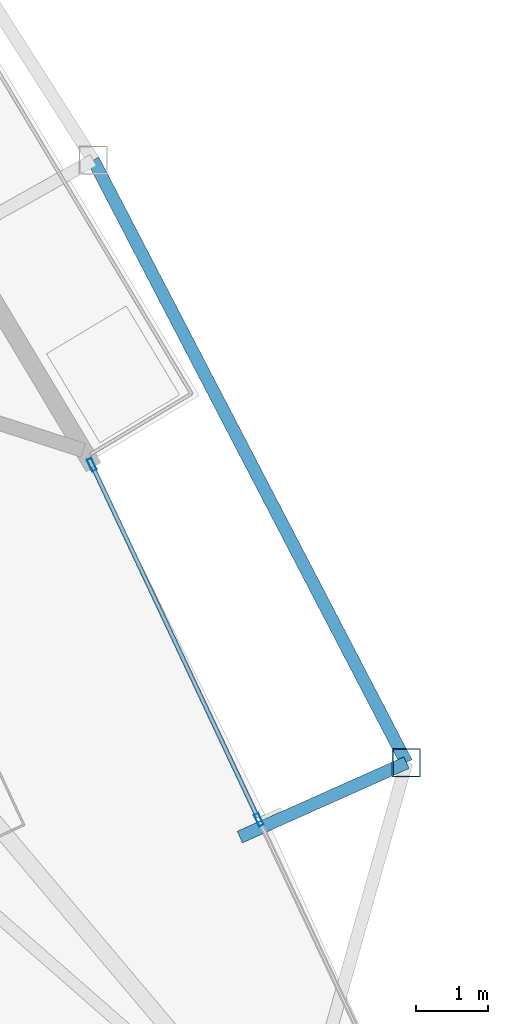
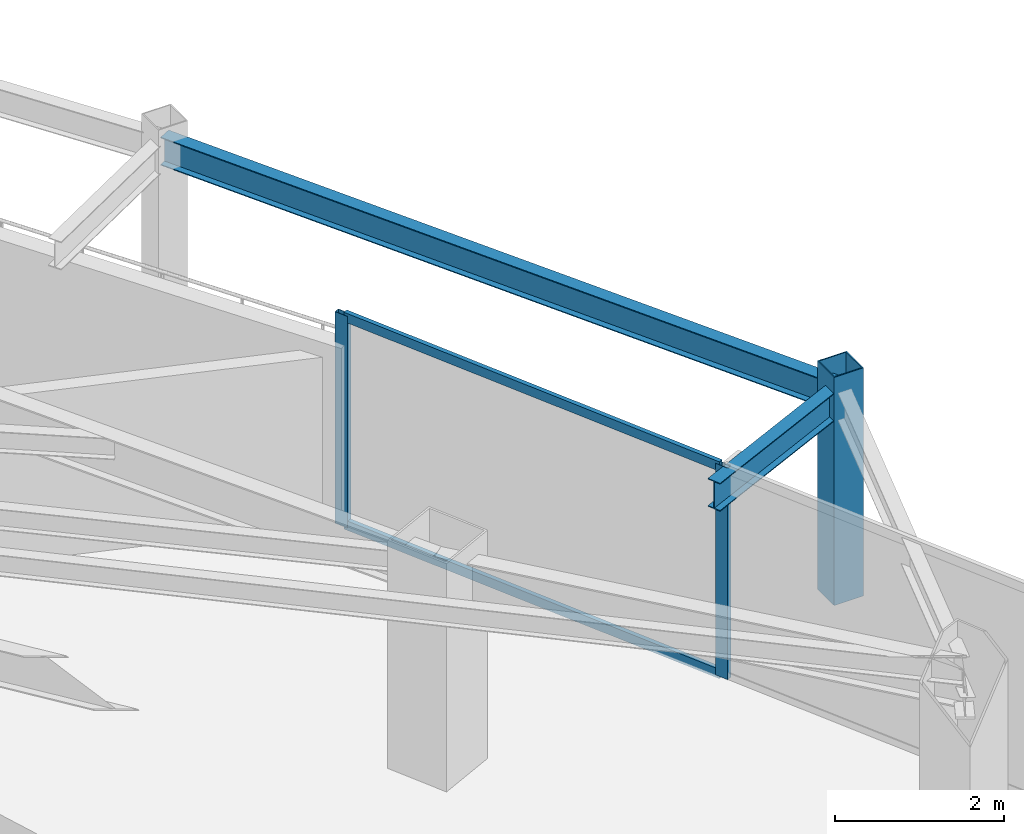
# One storey, part 18 of 31: 5 members, 2 beams, 1 element without a shape of its own.
"""IFC4 building model written with IfcOpenShell, lengths in metres."""

from ifc_helpers import new_model, si_unit, direction, frame, origin, origin_2d, place, context, subcontext, project, spatial, hollow_rectangle, i_section, extrude, material, layer, layer_set, material_profile, profile_set, type_object, element, aggregate, save


model = new_model("IFC4")

# Units and contexts
model_context = context("Model", 3, precision=1e-05, world=origin(), true_north=direction((0.0, 1.0)))
body_context = subcontext(model_context, "Body", "Model", "MODEL_VIEW")
ifc_project = project(units=[si_unit("LENGTHUNIT", "METRE"), si_unit("AREAUNIT", "SQUARE_METRE"), si_unit("VOLUMEUNIT", "CUBIC_METRE"), si_unit("PLANEANGLEUNIT", "RADIAN"), si_unit("MASSUNIT", "GRAM", prefix="KILO")], contexts=[model_context])

# Site, building, storey
site_placement = place(None, origin())
site = spatial("IfcSite", under=ifc_project, at=site_placement, CompositionType="ELEMENT")
building_placement = place(site_placement, origin())
building = spatial("IfcBuilding", under=site, at=building_placement, Name="Orvanel Arch Residences", CompositionType="ELEMENT")
storey_placement = place(building_placement, frame((0.0, 0.0, 153.949951171875)))
storey = spatial("IfcBuildingStorey", under=building, at=storey_placement, Name="L43", CompositionType="ELEMENT", Elevation=153.949951171875)

# Curtain wall, members
ifc_material_1 = material(Name="Bronze-anodised aluminium AA6063-T6", Category="aluminium")
ifc_layer = layer(ifc_material_1, 0.179931640625)
ifc_layer_set = layer_set([ifc_layer], Name="Bronze-anodised aluminium AA6063-T6")
curtain_wall_type = type_object("IfcCurtainWallType", Name="CW3-MID-SYS", PredefinedType="NOTDEFINED", material=ifc_layer_set)
curtain_wall_placement = place(storey_placement, origin())
curtain_wall = element("IfcCurtainWall", 1, at=curtain_wall_placement, inside=storey, type_object=curtain_wall_type, Name="L43 CW3-MID-SYS Unitised Curtain Wall", PredefinedType="NOTDEFINED")
ifc_material_profile_1 = material_profile(ifc_material_1, hollow_rectangle(XDim=0.070068359375, YDim=0.179931640625, WallThickness=0.00439453125, at=origin_2d()), Name="ALU180x70x4.5")
ifc_profile_set_1 = profile_set([ifc_material_profile_1], Name="Bronze-anodised aluminium AA6063-T6")
member_type_1 = type_object("IfcMemberType", Name="MUL-180x70", PredefinedType="MULLION", material=ifc_profile_set_1)
member_1_placement = place(storey_placement, frame((53.464111328125, 19.514404296875, 0.0), z_axis=(0.0, 0.0, 1.0), x_axis=(-0.90490897961, -0.425605144026, 0.0)))
member_1 = element("IfcMember", 2, at=member_1_placement, type_object=member_type_1, Name="CW-S3 mullion 2", PredefinedType="MULLION", context=body_context, shape_type="SweptSolid", body=[
    extrude(hollow_rectangle(XDim=0.070068359375, YDim=0.179931640625, WallThickness=0.00439453125, at=origin_2d()), origin(), (0.0, 0.0, 1.0), 3.06005859375),
])
member_2_placement = place(storey_placement, frame((51.12890625, 24.479248046875, 0.0), z_axis=(0.0, 0.0, 1.0), x_axis=(-0.90490897961, -0.425605144026, 0.0)))
member_2 = element("IfcMember", 3, at=member_2_placement, type_object=member_type_1, Name="CW-S3 mullion 3", PredefinedType="MULLION", context=body_context, shape_type="SweptSolid", body=[
    extrude(hollow_rectangle(XDim=0.070068359375, YDim=0.179931640625, WallThickness=0.00439453125, at=origin_2d()), origin(), (0.0, 0.0, 1.0), 3.06005859375),
])

# Beams
ifc_material_2 = material(Name="Structural steel AS/NZS 3679.1 Grade 300 (300 MPa)", Category="steel")
ifc_material_profile_2 = material_profile(ifc_material_2, i_section(OverallWidth=0.177978515625, OverallDepth=0.406005859375, WebThickness=0.0078125, FlangeThickness=0.0126953125, at=origin_2d()), Name="410UB59.7")
ifc_profile_set_2 = profile_set([ifc_material_profile_2], Name="Structural steel AS/NZS 3679.1 Grade 300 (300 MPa)")
beam_type = type_object("IfcBeamType", Name="OB-410UB-EXT", PredefinedType="SPANDREL", material=ifc_profile_set_2)
beam_1_placement = place(storey_placement, frame((53.198974609375, 19.27294921875, 2.85693359375), z_axis=(0.913099705306, 0.407736346394, 0.0), x_axis=(-0.407736346394, 0.913099705306, 0.0)))
element("IfcBeam", 4, at=beam_1_placement, inside=storey, type_object=beam_type, Name="L43 Outer Frame Radial Tie Beam 09", PredefinedType="SPANDREL", context=body_context, shape_type="SweptSolid", body=[
    extrude(i_section(OverallWidth=0.177978515625, OverallDepth=0.406005859375, WebThickness=0.0078125, FlangeThickness=0.0126953125, at=origin_2d()), origin(), (0.0, 0.0, 1.0), 2.55078125),
])
beam_2_placement = place(storey_placement, frame((55.528076171875, 20.31298828125, 2.85693359375), z_axis=(-0.461197291391, 0.887297615467, 0.0), x_axis=(-0.887297615467, -0.461197291391, 0.0)))
element("IfcBeam", 5, at=beam_2_placement, inside=storey, type_object=beam_type, Name="L43 Outer Perimeter Floor Ring Beam 09", PredefinedType="SPANDREL", context=body_context, shape_type="SweptSolid", body=[
    extrude(i_section(OverallWidth=0.177978515625, OverallDepth=0.406005859375, WebThickness=0.0078125, FlangeThickness=0.0126953125, at=origin_2d()), origin(), (0.0, 0.0, 1.0), 9.4951171875),
])

# Member
ifc_material_3 = material(Name="Structural steel AS/NZS 1163 C450L0 (Grade 450)", Category="steel")
ifc_material_profile_3 = material_profile(ifc_material_3, hollow_rectangle(XDim=0.39990234375, YDim=0.39990234375, WallThickness=0.01611328125, at=origin_2d()), Name="SHS400x400x16")
ifc_profile_set_3 = profile_set([ifc_material_profile_3], Name="Structural steel AS/NZS 1163 C450L0 (Grade 450)")
member_type_2 = type_object("IfcMemberType", Name="ST-400SHS-EXT", PredefinedType="STRUT", material=ifc_profile_set_3)
member_3_placement = place(storey_placement, frame((55.528076171875, 20.31298828125, 0.0), z_axis=(0.0, 0.0, 1.0), x_axis=(1.0, 0.0, 0.0)))
element("IfcMember", 6, at=member_3_placement, inside=storey, type_object=member_type_2, Name="L43 Outer Perimeter Frame Post 09", PredefinedType="STRUT", context=body_context, shape_type="SweptSolid", body=[
    extrude(hollow_rectangle(XDim=0.39990234375, YDim=0.39990234375, WallThickness=0.01611328125, at=origin_2d()), origin(), (0.0, 0.0, 1.0), 3.300048828125),
])

ifc_material_profile_4 = material_profile(ifc_material_1, hollow_rectangle(XDim=0.06005859375, YDim=0.135009765625, WallThickness=0.00390625, at=origin_2d()), Name="ALU135x60x4")
ifc_profile_set_4 = profile_set([ifc_material_profile_4], Name="Bronze-anodised aluminium AA6063-T6")
member_type_3 = type_object("IfcMemberType", Name="TRN-135x60", PredefinedType="USERDEFINED", material=ifc_profile_set_4)
member_4_placement = place(storey_placement, frame((53.44921875, 19.546142578125, 0.030029296875), z_axis=(-0.425612526975, 0.904905507156, 0.0), x_axis=(-0.904905507156, -0.425612526975, 0.0)))
member_4 = element("IfcMember", 7, at=member_4_placement, type_object=member_type_3, Name="CW-S3 transom 2.1", ObjectType="TRANSOM", PredefinedType="USERDEFINED", context=body_context, shape_type="SweptSolid", body=[
    extrude(hollow_rectangle(XDim=0.06005859375, YDim=0.135009765625, WallThickness=0.00390625, at=origin_2d()), origin(), (0.0, 0.0, 1.0), 5.416748046875),
])

member_5_placement = place(storey_placement, frame((53.44921875, 19.546142578125, 3.030029296875), z_axis=(-0.425612526975, 0.904905507156, 0.0), x_axis=(-0.904905507156, -0.425612526975, 0.0)))
member_5 = element("IfcMember", 8, at=member_5_placement, type_object=member_type_3, Name="CW-S3 transom 2.2", ObjectType="TRANSOM", PredefinedType="USERDEFINED", context=body_context, shape_type="SweptSolid", body=[
    extrude(hollow_rectangle(XDim=0.06005859375, YDim=0.135009765625, WallThickness=0.00390625, at=origin_2d()), origin(), (0.0, 0.0, 1.0), 5.416748046875),
])

aggregate(curtain_wall, [member_1, member_2, member_4, member_5])

save(model, "model.ifc")
